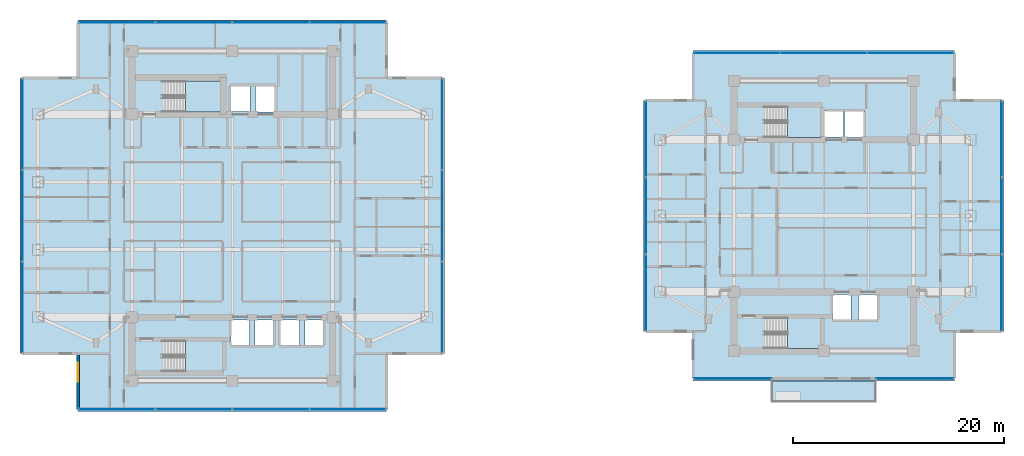
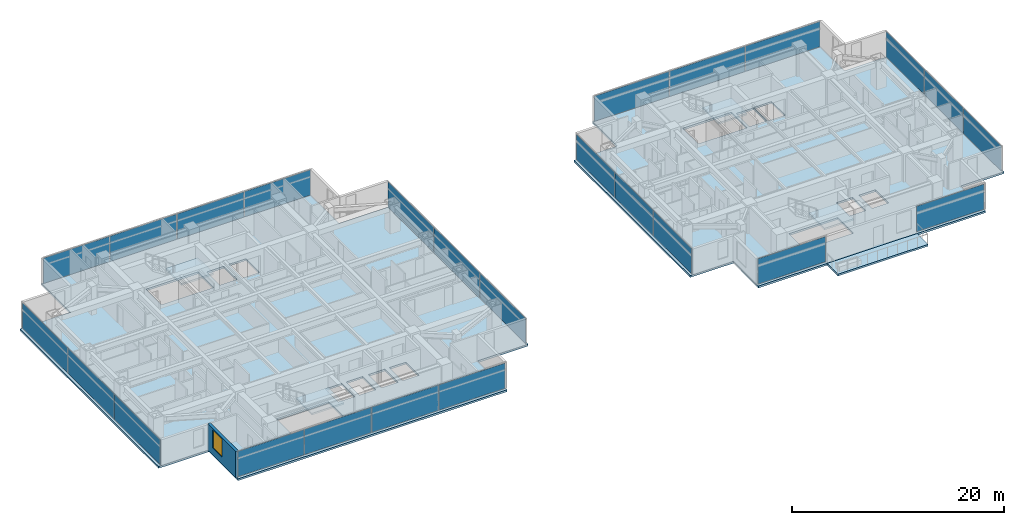
# One storey, part 12 of 24: 25 plates, 7 slabs, 1 wall, 1 window, 1 opening, 13 elements without a shape of their own.
"""IFC4 building model written with IfcOpenShell, lengths in metres."""

from ifc_helpers import new_model, si_unit, direction, frame, frame_2d, origin, origin_2d, place, context, subcontext, project, spatial, polyline, rectangle, outline, extrude, material, layer, layer_set, type_object, element, fill, aggregate, save


model = new_model("IFC4")

# Units and contexts
model_context = context("Model", 3, precision=1e-05, world=origin(), true_north=direction((0.0, 1.0)))
body_context = subcontext(model_context, "Body", "Model", "MODEL_VIEW")
ifc_project = project(units=[si_unit("LENGTHUNIT", "METRE"), si_unit("AREAUNIT", "SQUARE_METRE"), si_unit("VOLUMEUNIT", "CUBIC_METRE"), si_unit("PLANEANGLEUNIT", "RADIAN"), si_unit("MASSUNIT", "GRAM", prefix="KILO")], contexts=[model_context])

# Site, building, storey
site_placement = place(None, origin())
site = spatial("IfcSite", under=ifc_project, at=site_placement, CompositionType="ELEMENT")
building_placement = place(site_placement, origin())
building = spatial("IfcBuilding", under=site, at=building_placement, Name="Mirazonda Arch Towers", CompositionType="ELEMENT")
storey_placement = place(building_placement, frame((0.0, 0.0, 118.10009765625)))
storey = spatial("IfcBuildingStorey", under=building, at=storey_placement, Name="L33", CompositionType="ELEMENT", Elevation=118.10009765625)

# Curtain wall, plates
ifc_material_1 = material(Name="Anodised Aluminium and Low-E Glass", Category="aluminium")
curtain_wall_type = type_object("IfcCurtainWallType", Name="CW-HTL-UNIT", PredefinedType="NOTDEFINED", material=ifc_material_1)
curtain_wall_1_placement = place(storey_placement, origin())
curtain_wall_1 = element("IfcCurtainWall", 1, at=curtain_wall_1_placement, inside=storey, type_object=curtain_wall_type, Name="L33 T1 S Facade CW-L33-T1-S", PredefinedType="NOTDEFINED")
ifc_material_2 = material(Name="Insulated Low-E Solar Glass", Category="glass")
ifc_layer_1 = layer(ifc_material_2, 0.035888671875, Name="PAN-CW-HTL-UNIT")
ifc_layer_set_1 = layer_set([ifc_layer_1], Name="Insulated Low-E Solar Glass")
plate_type = type_object("IfcPlateType", Name="PAN-CW-HTL-UNIT", PredefinedType="CURTAIN_PANEL", material=ifc_layer_set_1)
plate_1_placement = place(storey_placement, frame((31.438720703125, 9.679931640625, 0.07470703125), z_axis=(0.0, 0.0, 1.0), x_axis=(-1.0, 0.0, 0.0)))
plate_1 = element("IfcPlate", 2, at=plate_1_placement, type_object=plate_type, Name="CW-112 panel 1.1", PredefinedType="CURTAIN_PANEL", context=body_context, shape_type="SweptSolid", body=[
    extrude(rectangle(XDim=7.1923828125, YDim=0.035888671875, at=origin_2d()), origin(), (0.0, 0.0, 1.0), 2.909912109375),
])
plate_2_placement = place(storey_placement, frame((24.152587890625, 9.679931640625, 0.07470703125), z_axis=(0.0, 0.0, 1.0), x_axis=(-1.0, 0.0, 0.0)))
plate_2 = element("IfcPlate", 3, at=plate_2_placement, type_object=plate_type, Name="CW-112 panel 2.1", PredefinedType="CURTAIN_PANEL", context=body_context, shape_type="SweptSolid", body=[
    extrude(rectangle(XDim=7.22998046875, YDim=0.035888671875, at=origin_2d()), origin(), (0.0, 0.0, 1.0), 2.909912109375),
])
plate_3_placement = place(storey_placement, frame((16.847412109375, 9.679931640625, 0.07470703125), z_axis=(0.0, 0.0, 1.0), x_axis=(-1.0, 0.0, 0.0)))
plate_3 = element("IfcPlate", 4, at=plate_3_placement, type_object=plate_type, Name="CW-112 panel 3.1", PredefinedType="CURTAIN_PANEL", context=body_context, shape_type="SweptSolid", body=[
    extrude(rectangle(XDim=7.22998046875, YDim=0.035888671875, at=origin_2d()), origin(), (0.0, 0.0, 1.0), 2.909912109375),
])
plate_4_placement = place(storey_placement, frame((9.561279296875, 9.679931640625, 0.07470703125), z_axis=(0.0, 0.0, 1.0), x_axis=(-1.0, 0.0, 0.0)))
plate_4 = element("IfcPlate", 5, at=plate_4_placement, type_object=plate_type, Name="CW-112 panel 4.1", PredefinedType="CURTAIN_PANEL", context=body_context, shape_type="SweptSolid", body=[
    extrude(rectangle(XDim=7.1923828125, YDim=0.035888671875, at=origin_2d()), origin(), (0.0, 0.0, 1.0), 2.909912109375),
])
aggregate(curtain_wall_1, [plate_1, plate_2, plate_3, plate_4])

curtain_wall_2_placement = place(storey_placement, origin())
curtain_wall_2 = element("IfcCurtainWall", 6, at=curtain_wall_2_placement, inside=storey, type_object=curtain_wall_type, Name="L33 T1 E Facade CW-L33-T1-E", PredefinedType="NOTDEFINED")
plate_5_placement = place(storey_placement, frame((40.3798828125, 19.31884765625, 0.07470703125), z_axis=(0.0, 0.0, 1.0), x_axis=(0.0, 1.0, 0.0)))
plate_5 = element("IfcPlate", 7, at=plate_5_placement, type_object=plate_type, Name="CW-112 panel 1.1", PredefinedType="CURTAIN_PANEL", context=body_context, shape_type="SweptSolid", body=[
    extrude(rectangle(XDim=8.58740234375, YDim=0.035888671875, at=origin_2d()), origin(), (0.0, 0.0, 1.0), 2.909912109375),
])
plate_6_placement = place(storey_placement, frame((40.3798828125, 28.0, 0.07470703125), z_axis=(0.0, 0.0, 1.0), x_axis=(0.0, 1.0, 0.0)))
plate_6 = element("IfcPlate", 8, at=plate_6_placement, type_object=plate_type, Name="CW-112 panel 2.1", PredefinedType="CURTAIN_PANEL", context=body_context, shape_type="SweptSolid", body=[
    extrude(rectangle(XDim=8.625, YDim=0.035888671875, at=origin_2d()), origin(), (0.0, 0.0, 1.0), 2.909912109375),
])
plate_7_placement = place(storey_placement, frame((40.3798828125, 36.68115234375, 0.07470703125), z_axis=(0.0, 0.0, 1.0), x_axis=(0.0, 1.0, 0.0)))
plate_7 = element("IfcPlate", 9, at=plate_7_placement, type_object=plate_type, Name="CW-112 panel 3.1", PredefinedType="CURTAIN_PANEL", context=body_context, shape_type="SweptSolid", body=[
    extrude(rectangle(XDim=8.58740234375, YDim=0.035888671875, at=origin_2d()), origin(), (0.0, 0.0, 1.0), 2.909912109375),
])
aggregate(curtain_wall_2, [plate_5, plate_6, plate_7])

curtain_wall_3_placement = place(storey_placement, origin())
curtain_wall_3 = element("IfcCurtainWall", 10, at=curtain_wall_3_placement, inside=storey, type_object=curtain_wall_type, Name="L33 T1 N Facade CW-L33-T1-N", PredefinedType="NOTDEFINED")
plate_8_placement = place(storey_placement, frame((9.561279296875, 46.320068359375, 0.07470703125), z_axis=(0.0, 0.0, 1.0), x_axis=(1.0, 0.0, 0.0)))
plate_8 = element("IfcPlate", 11, at=plate_8_placement, type_object=plate_type, Name="CW-112 panel 1.1", PredefinedType="CURTAIN_PANEL", context=body_context, shape_type="SweptSolid", body=[
    extrude(rectangle(XDim=7.1923828125, YDim=0.035888671875, at=origin_2d()), origin(), (0.0, 0.0, 1.0), 2.909912109375),
])
plate_9_placement = place(storey_placement, frame((16.847412109375, 46.320068359375, 0.07470703125), z_axis=(0.0, 0.0, 1.0), x_axis=(1.0, 0.0, 0.0)))
plate_9 = element("IfcPlate", 12, at=plate_9_placement, type_object=plate_type, Name="CW-112 panel 2.1", PredefinedType="CURTAIN_PANEL", context=body_context, shape_type="SweptSolid", body=[
    extrude(rectangle(XDim=7.22998046875, YDim=0.035888671875, at=origin_2d()), origin(), (0.0, 0.0, 1.0), 2.909912109375),
])
plate_10_placement = place(storey_placement, frame((24.152587890625, 46.320068359375, 0.07470703125), z_axis=(0.0, 0.0, 1.0), x_axis=(1.0, 0.0, 0.0)))
plate_10 = element("IfcPlate", 13, at=plate_10_placement, type_object=plate_type, Name="CW-112 panel 3.1", PredefinedType="CURTAIN_PANEL", context=body_context, shape_type="SweptSolid", body=[
    extrude(rectangle(XDim=7.22998046875, YDim=0.035888671875, at=origin_2d()), origin(), (0.0, 0.0, 1.0), 2.909912109375),
])
plate_11_placement = place(storey_placement, frame((31.438720703125, 46.320068359375, 0.07470703125), z_axis=(0.0, 0.0, 1.0), x_axis=(1.0, 0.0, 0.0)))
plate_11 = element("IfcPlate", 14, at=plate_11_placement, type_object=plate_type, Name="CW-112 panel 4.1", PredefinedType="CURTAIN_PANEL", context=body_context, shape_type="SweptSolid", body=[
    extrude(rectangle(XDim=7.1923828125, YDim=0.035888671875, at=origin_2d()), origin(), (0.0, 0.0, 1.0), 2.909912109375),
])
aggregate(curtain_wall_3, [plate_8, plate_9, plate_10, plate_11])

curtain_wall_4_placement = place(storey_placement, origin())
curtain_wall_4 = element("IfcCurtainWall", 15, at=curtain_wall_4_placement, inside=storey, type_object=curtain_wall_type, Name="L33 T1 W Facade CW-L33-T1-W", PredefinedType="NOTDEFINED")
plate_12_placement = place(storey_placement, frame((0.6201171875, 36.68115234375, 0.07470703125), z_axis=(0.0, 0.0, 1.0), x_axis=(0.0, -1.0, 0.0)))
plate_12 = element("IfcPlate", 16, at=plate_12_placement, type_object=plate_type, Name="CW-112 panel 1.1", PredefinedType="CURTAIN_PANEL", context=body_context, shape_type="SweptSolid", body=[
    extrude(rectangle(XDim=8.58740234375, YDim=0.035888671875, at=origin_2d()), origin(), (0.0, 0.0, 1.0), 2.909912109375),
])
plate_13_placement = place(storey_placement, frame((0.6201171875, 28.0, 0.07470703125), z_axis=(0.0, 0.0, 1.0), x_axis=(0.0, -1.0, 0.0)))
plate_13 = element("IfcPlate", 17, at=plate_13_placement, type_object=plate_type, Name="CW-112 panel 2.1", PredefinedType="CURTAIN_PANEL", context=body_context, shape_type="SweptSolid", body=[
    extrude(rectangle(XDim=8.625, YDim=0.035888671875, at=origin_2d()), origin(), (0.0, 0.0, 1.0), 2.909912109375),
])
plate_14_placement = place(storey_placement, frame((0.6201171875, 19.31884765625, 0.07470703125), z_axis=(0.0, 0.0, 1.0), x_axis=(0.0, -1.0, 0.0)))
plate_14 = element("IfcPlate", 18, at=plate_14_placement, type_object=plate_type, Name="CW-112 panel 3.1", PredefinedType="CURTAIN_PANEL", context=body_context, shape_type="SweptSolid", body=[
    extrude(rectangle(XDim=8.58740234375, YDim=0.035888671875, at=origin_2d()), origin(), (0.0, 0.0, 1.0), 2.909912109375),
])
aggregate(curtain_wall_4, [plate_12, plate_13, plate_14])

# Curtain wall, plate
curtain_wall_5_placement = place(storey_placement, origin())
curtain_wall_5 = element("IfcCurtainWall", 19, at=curtain_wall_5_placement, inside=storey, type_object=curtain_wall_type, Name="L33 Curtain Wall CW-L33-T2-SA", PredefinedType="NOTDEFINED")
plate_15_placement = place(storey_placement, frame((85.124267578125, 12.5810546875, 0.07470703125), z_axis=(0.0, 0.0, 1.0), x_axis=(-1.0, 0.0, 0.0)))
plate_15 = element("IfcPlate", 20, at=plate_15_placement, type_object=plate_type, Name="CW-112 panel 1.1", PredefinedType="CURTAIN_PANEL", context=body_context, shape_type="SweptSolid", body=[
    extrude(rectangle(XDim=7.318603515625, YDim=0.035888671875, at=origin_2d()), origin(), (0.0, 0.0, 1.0), 2.909912109375),
])
aggregate(curtain_wall_5, [plate_15])

curtain_wall_6_placement = place(storey_placement, origin())
curtain_wall_6 = element("IfcCurtainWall", 21, at=curtain_wall_6_placement, inside=storey, type_object=curtain_wall_type, Name="L33 Curtain Wall CW-L33-T2-SB", PredefinedType="NOTDEFINED")
plate_16_placement = place(storey_placement, frame((67.875732421875, 12.5810546875, 0.07470703125), z_axis=(0.0, 0.0, 1.0), x_axis=(-1.0, 0.0, 0.0)))
plate_16 = element("IfcPlate", 22, at=plate_16_placement, type_object=plate_type, Name="CW-112 panel 1.1", PredefinedType="CURTAIN_PANEL", context=body_context, shape_type="SweptSolid", body=[
    extrude(rectangle(XDim=7.318603515625, YDim=0.035888671875, at=origin_2d()), origin(), (0.0, 0.0, 1.0), 2.909912109375),
])
aggregate(curtain_wall_6, [plate_16])

# Curtain wall, plates
curtain_wall_7_placement = place(storey_placement, origin())
curtain_wall_7 = element("IfcCurtainWall", 23, at=curtain_wall_7_placement, inside=storey, type_object=curtain_wall_type, Name="L33 T2 E Facade CW-L33-T2-E", PredefinedType="NOTDEFINED")
plate_17_placement = place(storey_placement, frame((93.344970703125, 20.73046875, 0.07470703125), z_axis=(0.0, 0.0, 1.0), x_axis=(0.0, 1.0, 0.0)))
plate_17 = element("IfcPlate", 24, at=plate_17_placement, type_object=plate_type, Name="CW-112 panel 1.1", PredefinedType="CURTAIN_PANEL", context=body_context, shape_type="SweptSolid", body=[
    extrude(rectangle(XDim=7.17578125, YDim=0.035888671875, at=origin_2d()), origin(), (0.0, 0.0, 1.0), 2.909912109375),
])
plate_18_placement = place(storey_placement, frame((93.344970703125, 28.0, 0.07470703125), z_axis=(0.0, 0.0, 1.0), x_axis=(0.0, 1.0, 0.0)))
plate_18 = element("IfcPlate", 25, at=plate_18_placement, type_object=plate_type, Name="CW-112 panel 2.1", PredefinedType="CURTAIN_PANEL", context=body_context, shape_type="SweptSolid", body=[
    extrude(rectangle(XDim=7.21337890625, YDim=0.035888671875, at=origin_2d()), origin(), (0.0, 0.0, 1.0), 2.909912109375),
])
plate_19_placement = place(storey_placement, frame((93.344970703125, 35.26953125, 0.07470703125), z_axis=(0.0, 0.0, 1.0), x_axis=(0.0, 1.0, 0.0)))
plate_19 = element("IfcPlate", 26, at=plate_19_placement, type_object=plate_type, Name="CW-112 panel 3.1", PredefinedType="CURTAIN_PANEL", context=body_context, shape_type="SweptSolid", body=[
    extrude(rectangle(XDim=7.17578125, YDim=0.035888671875, at=origin_2d()), origin(), (0.0, 0.0, 1.0), 2.909912109375),
])
aggregate(curtain_wall_7, [plate_17, plate_18, plate_19])

curtain_wall_8_placement = place(storey_placement, origin())
curtain_wall_8 = element("IfcCurtainWall", 27, at=curtain_wall_8_placement, inside=storey, type_object=curtain_wall_type, Name="L33 T2 N Facade CW-L33-T2-N", PredefinedType="NOTDEFINED")
plate_20_placement = place(storey_placement, frame((68.27978515625, 43.4189453125, 0.07470703125), z_axis=(0.0, 0.0, 1.0), x_axis=(1.0, 0.0, 0.0)))
plate_20 = element("IfcPlate", 28, at=plate_20_placement, type_object=plate_type, Name="CW-112 panel 1.1", PredefinedType="CURTAIN_PANEL", context=body_context, shape_type="SweptSolid", body=[
    extrude(rectangle(XDim=8.12646484375, YDim=0.035888671875, at=origin_2d()), origin(), (0.0, 0.0, 1.0), 2.909912109375),
])
plate_21_placement = place(storey_placement, frame((76.5, 43.4189453125, 0.07470703125), z_axis=(0.0, 0.0, 1.0), x_axis=(1.0, 0.0, 0.0)))
plate_21 = element("IfcPlate", 29, at=plate_21_placement, type_object=plate_type, Name="CW-112 panel 2.1", PredefinedType="CURTAIN_PANEL", context=body_context, shape_type="SweptSolid", body=[
    extrude(rectangle(XDim=8.1640625, YDim=0.035888671875, at=origin_2d()), origin(), (0.0, 0.0, 1.0), 2.909912109375),
])
plate_22_placement = place(storey_placement, frame((84.72021484375, 43.4189453125, 0.07470703125), z_axis=(0.0, 0.0, 1.0), x_axis=(1.0, 0.0, 0.0)))
plate_22 = element("IfcPlate", 30, at=plate_22_placement, type_object=plate_type, Name="CW-112 panel 3.1", PredefinedType="CURTAIN_PANEL", context=body_context, shape_type="SweptSolid", body=[
    extrude(rectangle(XDim=8.12646484375, YDim=0.035888671875, at=origin_2d()), origin(), (0.0, 0.0, 1.0), 2.909912109375),
])
aggregate(curtain_wall_8, [plate_20, plate_21, plate_22])

curtain_wall_9_placement = place(storey_placement, origin())
curtain_wall_9 = element("IfcCurtainWall", 31, at=curtain_wall_9_placement, inside=storey, type_object=curtain_wall_type, Name="L33 T2 W Facade CW-L33-T2-W", PredefinedType="NOTDEFINED")
plate_23_placement = place(storey_placement, frame((59.655029296875, 35.26953125, 0.07470703125), z_axis=(0.0, 0.0, 1.0), x_axis=(0.0, -1.0, 0.0)))
plate_23 = element("IfcPlate", 32, at=plate_23_placement, type_object=plate_type, Name="CW-112 panel 1.1", PredefinedType="CURTAIN_PANEL", context=body_context, shape_type="SweptSolid", body=[
    extrude(rectangle(XDim=7.17578125, YDim=0.035888671875, at=origin_2d()), origin(), (0.0, 0.0, 1.0), 2.909912109375),
])
plate_24_placement = place(storey_placement, frame((59.655029296875, 28.0, 0.07470703125), z_axis=(0.0, 0.0, 1.0), x_axis=(0.0, -1.0, 0.0)))
plate_24 = element("IfcPlate", 33, at=plate_24_placement, type_object=plate_type, Name="CW-112 panel 2.1", PredefinedType="CURTAIN_PANEL", context=body_context, shape_type="SweptSolid", body=[
    extrude(rectangle(XDim=7.21337890625, YDim=0.035888671875, at=origin_2d()), origin(), (0.0, 0.0, 1.0), 2.909912109375),
])
plate_25_placement = place(storey_placement, frame((59.655029296875, 20.73046875, 0.07470703125), z_axis=(0.0, 0.0, 1.0), x_axis=(0.0, -1.0, 0.0)))
plate_25 = element("IfcPlate", 34, at=plate_25_placement, type_object=plate_type, Name="CW-112 panel 3.1", PredefinedType="CURTAIN_PANEL", context=body_context, shape_type="SweptSolid", body=[
    extrude(rectangle(XDim=7.17578125, YDim=0.035888671875, at=origin_2d()), origin(), (0.0, 0.0, 1.0), 2.909912109375),
])
aggregate(curtain_wall_9, [plate_23, plate_24, plate_25])

# Stair, slab
ifc_material_3 = material(Name="Concrete C40/50", Category="concrete")
stair_type = type_object("IfcStairType", Name="STAIR-CORE-1400", PredefinedType="HALF_TURN_STAIR", material=ifc_material_3)
stair_1_placement = place(storey_placement, origin())
stair_1 = element("IfcStair", 35, at=stair_1_placement, inside=storey, type_object=stair_type, Name="L33 Protected Exit Stair ST-T1N", PredefinedType="HALF_TURN_STAIR")
ifc_layer_2 = layer(ifc_material_3, 0.18994140625, Name="SLAB-LANDING-190")
ifc_layer_set_2 = layer_set([ifc_layer_2], Name="Concrete C40/50")
slab_type_1 = type_object("IfcSlabType", Name="SLAB-LANDING-190", PredefinedType="LANDING", material=ifc_layer_set_2)
slab_1_placement = place(storey_placement, frame((0.0, 0.0, 1.449951171875)))
slab_1 = element("IfcSlab", 36, at=slab_1_placement, type_object=slab_type_1, Name="ST-T1N landing 1", PredefinedType="LANDING", context=body_context, shape_type="SweptSolid", body=[
    extrude(outline(polyline([(16.090087890625, 37.820068359375), (19.60009765625, 37.820068359375), (19.60009765625, 40.760009765625), (16.090087890625, 40.760009765625), (16.090087890625, 37.820068359375)])), origin(), (0.0, 0.0, 1.0), 0.199951171875),
])
aggregate(stair_1, [slab_1])

stair_2_placement = place(storey_placement, origin())
stair_2 = element("IfcStair", 37, at=stair_2_placement, inside=storey, type_object=stair_type, Name="L33 Protected Exit Stair ST-T1S", PredefinedType="HALF_TURN_STAIR")
slab_2_placement = place(storey_placement, frame((0.0, 0.0, 1.449951171875)))
slab_2 = element("IfcSlab", 38, at=slab_2_placement, type_object=slab_type_1, Name="ST-T1S landing 1", PredefinedType="LANDING", context=body_context, shape_type="SweptSolid", body=[
    extrude(outline(polyline([(16.090087890625, 13.25), (19.60009765625, 13.25), (19.60009765625, 16.18994140625), (16.090087890625, 16.18994140625), (16.090087890625, 13.25)])), origin(), (0.0, 0.0, 1.0), 0.199951171875),
])
aggregate(stair_2, [slab_2])

stair_3_placement = place(storey_placement, origin())
stair_3 = element("IfcStair", 39, at=stair_3_placement, inside=storey, type_object=stair_type, Name="L33 Protected Exit Stair ST-T2N", PredefinedType="HALF_TURN_STAIR")
slab_3_placement = place(storey_placement, frame((0.0, 0.0, 1.449951171875)))
slab_3 = element("IfcSlab", 40, at=slab_3_placement, type_object=slab_type_1, Name="ST-T2N landing 1", PredefinedType="LANDING", context=body_context, shape_type="SweptSolid", body=[
    extrude(outline(polyline([(73.090087890625, 35.419921875), (76.22998046875, 35.419921875), (76.22998046875, 38.360107421875), (73.090087890625, 38.360107421875), (73.090087890625, 35.419921875)])), origin(), (0.0, 0.0, 1.0), 0.199951171875),
])
aggregate(stair_3, [slab_3])

stair_4_placement = place(storey_placement, origin())
stair_4 = element("IfcStair", 41, at=stair_4_placement, inside=storey, type_object=stair_type, Name="L33 Protected Exit Stair ST-T2S", PredefinedType="HALF_TURN_STAIR")
slab_4_placement = place(storey_placement, frame((0.0, 0.0, 1.449951171875)))
slab_4 = element("IfcSlab", 42, at=slab_4_placement, type_object=slab_type_1, Name="ST-T2S landing 1", PredefinedType="LANDING", context=body_context, shape_type="SweptSolid", body=[
    extrude(outline(polyline([(73.090087890625, 15.419921875), (76.22998046875, 15.419921875), (76.22998046875, 18.360107421875), (73.090087890625, 18.360107421875), (73.090087890625, 15.419921875)])), origin(), (0.0, 0.0, 1.0), 0.199951171875),
])
aggregate(stair_4, [slab_4])

# Slabs
ifc_layer_3 = layer(ifc_material_3, 0.2099609375, Name="SLAB-TERRACE-210")
ifc_layer_set_3 = layer_set([ifc_layer_3], Name="Concrete C40/50")
slab_type_2 = type_object("IfcSlabType", Name="SLAB-TERRACE-210", PredefinedType="FLOOR", material=ifc_layer_set_3)
slab_5_placement = place(storey_placement, frame((0.0, 0.0, -0.210205078125)))
element("IfcSlab", 43, at=slab_5_placement, inside=storey, type_object=slab_type_2, Name="L33 T2 Spiralling Sky-Terrace Balcony Slab", PredefinedType="FLOOR", context=body_context, shape_type="SweptSolid", body=[
    extrude(outline(polyline([(71.60009765625, 10.31103515625), (81.39990234375, 10.31103515625), (81.39990234375, 12.37109375), (71.60009765625, 12.37109375), (71.60009765625, 10.31103515625)])), origin(), (0.0, 0.0, 1.0), 0.210205078125),
])
ifc_layer_4 = layer(ifc_material_3, 0.219970703125, Name="SLAB-TWR-220")
ifc_layer_set_4 = layer_set([ifc_layer_4], Name="Concrete C40/50")
slab_type_3 = type_object("IfcSlabType", Name="SLAB-TWR-220", PredefinedType="FLOOR", material=ifc_layer_set_4)
slab_6_placement = place(storey_placement, frame((0.0, 0.0, -0.22021484375)))
element("IfcSlab", 44, at=slab_6_placement, inside=storey, type_object=slab_type_3, Name="L33 Tower 1 Floor Slab", PredefinedType="FLOOR", context=body_context, shape_type="SweptSolid", body=[
    extrude(outline(polyline([(5.889892578125, 9.4599609375), (35.110107421875, 9.4599609375), (35.110107421875, 14.949951171875), (40.60009765625, 14.949951171875), (40.60009765625, 41.050048828125), (35.110107421875, 41.050048828125), (35.110107421875, 46.5400390625), (5.889892578125, 46.5400390625), (5.889892578125, 41.050048828125), (0.39990234375, 41.050048828125), (0.39990234375, 14.949951171875), (5.889892578125, 14.949951171875), (5.889892578125, 9.4599609375)]), holes=[polyline([(27.360107421875, 18.139892578125), (29.139892578125, 18.139892578125), (29.139892578125, 15.659912109375), (27.360107421875, 15.659912109375), (27.360107421875, 18.139892578125)]), polyline([(25.06005859375, 18.139892578125), (26.840087890625, 18.139892578125), (26.840087890625, 15.659912109375), (25.06005859375, 15.659912109375), (25.06005859375, 18.139892578125)]), polyline([(22.7099609375, 40.389892578125), (24.590087890625, 40.389892578125), (24.590087890625, 37.81005859375), (22.7099609375, 37.81005859375), (22.7099609375, 40.389892578125)]), polyline([(22.659912109375, 18.139892578125), (24.43994140625, 18.139892578125), (24.43994140625, 15.659912109375), (22.659912109375, 15.659912109375), (22.659912109375, 18.139892578125)]), polyline([(20.31005859375, 40.340087890625), (22.18994140625, 40.340087890625), (22.18994140625, 37.860107421875), (20.31005859375, 37.860107421875), (20.31005859375, 40.340087890625)]), polyline([(20.360107421875, 18.139892578125), (22.139892578125, 18.139892578125), (22.139892578125, 15.659912109375), (20.360107421875, 15.659912109375), (20.360107421875, 18.139892578125)]), polyline([(13.925048828125, 13.25), (13.925048828125, 16.18994140625), (19.60009765625, 16.18994140625), (19.60009765625, 13.25), (13.925048828125, 13.25)]), polyline([(13.925048828125, 37.820068359375), (13.925048828125, 40.760009765625), (19.60009765625, 40.760009765625), (19.60009765625, 37.820068359375), (13.925048828125, 37.820068359375)])]), origin(), (0.0, 0.0, 1.0), 0.22021484375),
])
slab_7_placement = place(storey_placement, frame((0.0, 0.0, -0.22021484375)))
element("IfcSlab", 45, at=slab_7_placement, inside=storey, type_object=slab_type_3, Name="L33 Tower 2 Floor Slab", PredefinedType="FLOOR", context=body_context, shape_type="SweptSolid", body=[
    extrude(outline(polyline([(64.1416015625, 12.361083984375), (88.8583984375, 12.361083984375), (88.8583984375, 17.0673828125), (93.56494140625, 17.0673828125), (93.56494140625, 38.9326171875), (88.8583984375, 38.9326171875), (88.8583984375, 43.638916015625), (64.1416015625, 43.638916015625), (64.1416015625, 38.9326171875), (59.43505859375, 38.9326171875), (59.43505859375, 17.0673828125), (64.1416015625, 17.0673828125), (64.1416015625, 12.361083984375)]), holes=[polyline([(79.81005859375, 20.5400390625), (81.590087890625, 20.5400390625), (81.590087890625, 18.06005859375), (79.81005859375, 18.06005859375), (79.81005859375, 20.5400390625)]), polyline([(78.47998046875, 37.989990234375), (80.360107421875, 37.989990234375), (80.360107421875, 35.409912109375), (78.47998046875, 35.409912109375), (78.47998046875, 37.989990234375)]), polyline([(77.31005859375, 20.5400390625), (79.090087890625, 20.5400390625), (79.090087890625, 18.06005859375), (77.31005859375, 18.06005859375), (77.31005859375, 20.5400390625)]), polyline([(76.510009765625, 35.4599609375), (76.510009765625, 37.93994140625), (78.389892578125, 37.93994140625), (78.389892578125, 35.4599609375), (76.510009765625, 35.4599609375)]), polyline([(76.22998046875, 15.419921875), (70.925048828125, 15.419921875), (70.925048828125, 18.360107421875), (76.22998046875, 18.360107421875), (76.22998046875, 15.419921875)]), polyline([(70.925048828125, 35.419921875), (70.925048828125, 38.360107421875), (76.22998046875, 38.360107421875), (76.22998046875, 35.419921875), (70.925048828125, 35.419921875)])]), origin(), (0.0, 0.0, 1.0), 0.22021484375),
])

# Wall, opening, window
ifc_material_4 = material(Name="Precast Concrete C40/50", Category="concrete")
ifc_layer_5 = layer(ifc_material_4, 0.280029296875, Name="WALL-EXT-WALL-280")
ifc_layer_set_5 = layer_set([ifc_layer_5], Name="Precast Concrete C40/50")
wall_type = type_object("IfcWallType", Name="WALL-EXT-WALL-280", PredefinedType="SOLIDWALL", material=ifc_layer_set_5)
wall_placement = place(storey_placement, frame((5.889892578125, 14.949951171875, 0.0), z_axis=(0.0, 0.0, 1.0), x_axis=(0.0, -1.0, 0.0)))
wall = element("IfcWall", 46, at=wall_placement, inside=storey, type_object=wall_type, Name="L33 T1 Notched SW Corner Wall WL-L33-T1-CSW", PredefinedType="SOLIDWALL", context=body_context, shape_type="SweptSolid", body=[
    extrude(rectangle(XDim=5.27001953125, YDim=0.280029296875, at=frame_2d((2.635009765625, 0.0))), origin(), (0.0, 0.0, 1.0), 3.059814453125),
])
opening_placement = place(wall_placement, frame((0.85009765625, 0.0, 0.81005859375)))
opening = element("IfcOpeningElement", 47, at=opening_placement, cuts=wall, Name="Opening WN-116", PredefinedType="OPENING", context=body_context, shape_type="SweptSolid", body=[
    extrude(rectangle(XDim=1.800048828125, YDim=2.10009765625, at=frame_2d((0.89990234375, 1.050048828125))), frame((0.0, 0.14990234375, 0.0), z_axis=(0.0, -1.0, 0.0), x_axis=(1.0, 0.0, 0.0)), (0.0, 0.0, 1.0), 0.300048828125),
])
window_type = type_object("IfcWindowType", Name="WIN-HTL-1800x2100", PartitioningType="SINGLE_PANEL", PredefinedType="WINDOW", material=ifc_material_2)
window_placement = place(opening_placement, origin())
window = element("IfcWindow", 48, at=window_placement, inside=storey, type_object=window_type, Name="L33 Punched Facade Window WN-L33-T1-CSW", OverallHeight=2.10009765625, OverallWidth=1.800048828125, PartitioningType="SINGLE_PANEL", PredefinedType="WINDOW", context=body_context, shape_type="SweptSolid", body=[
    extrude(rectangle(XDim=1.800048828125, YDim=2.10009765625, at=frame_2d((0.89990234375, 1.050048828125))), frame((0.0, 0.030029296875, 0.0), z_axis=(0.0, -1.0, 0.0), x_axis=(1.0, 0.0, 0.0)), (0.0, 0.0, 1.0), 0.06005859375),
])
fill(opening, window)

save(model, "model.ifc")
